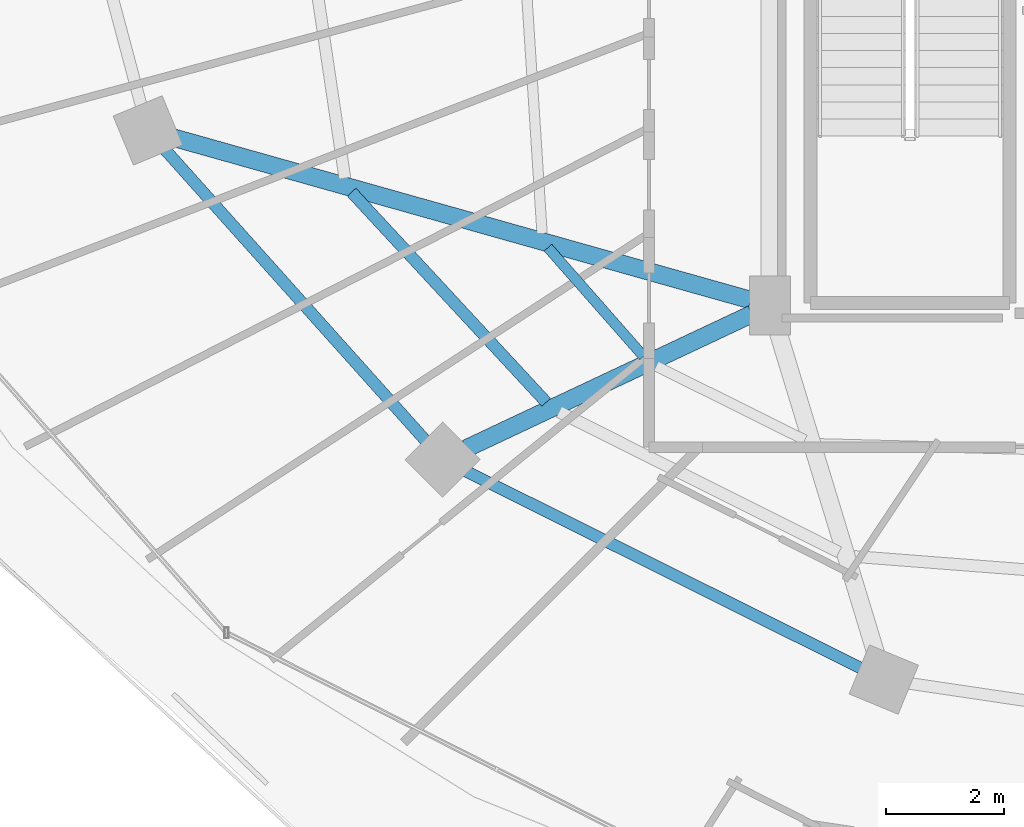
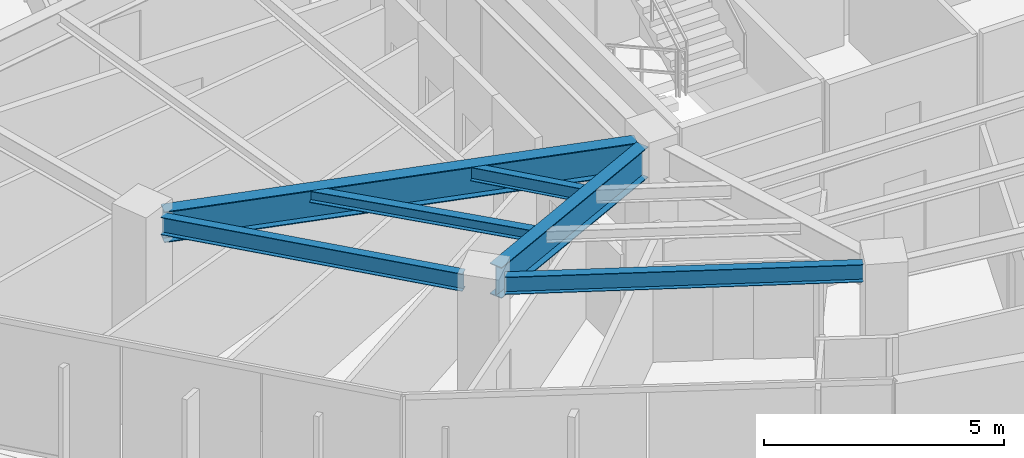
# One storey, part 4 of 33: 6 beams.
"""IFC4 building model written with IfcOpenShell, lengths in metres."""

from ifc_helpers import new_model, si_unit, direction, frame, origin, origin_2d, place, context, subcontext, project, spatial, i_section, extrude, material, material_profile, profile_set, type_object, element, save


model = new_model("IFC4")

# Units and contexts
model_context = context("Model", 3, precision=1e-05, world=origin(), true_north=direction((0.0, 1.0)))
body_context = subcontext(model_context, "Body", "Model", "MODEL_VIEW")
ifc_project = project(units=[si_unit("LENGTHUNIT", "METRE"), si_unit("AREAUNIT", "SQUARE_METRE"), si_unit("VOLUMEUNIT", "CUBIC_METRE"), si_unit("PLANEANGLEUNIT", "RADIAN"), si_unit("MASSUNIT", "GRAM", prefix="KILO")], contexts=[model_context])

# Site, building, storey
site_placement = place(None, origin())
site = spatial("IfcSite", under=ifc_project, at=site_placement, CompositionType="ELEMENT")
building_placement = place(site_placement, origin())
building = spatial("IfcBuilding", under=site, at=building_placement, Name="Vorneva Point Tower", CompositionType="ELEMENT")
storey_placement = place(building_placement, frame((0.0, 0.0, 217.85009765625)))
storey = spatial("IfcBuildingStorey", under=building, at=storey_placement, Name="L59", CompositionType="ELEMENT", Elevation=217.85009765625)

# Beams
ifc_material = material(Name="Steel S355", Category="steel")
ifc_material_profile_1 = material_profile(ifc_material, i_section(OverallWidth=0.300048828125, OverallDepth=0.7880859375, WebThickness=0.014404296875, FlangeThickness=0.02197265625, at=origin_2d()), Name="80Sh1")
ifc_profile_set_1 = profile_set([ifc_material_profile_1], Name="Steel S355")
beam_type_1 = type_object("IfcBeamType", Name="BM-GRD-80Sh1", PredefinedType="USERDEFINED", material=ifc_profile_set_1)
beam_1_placement = place(storey_placement, frame((17.126220703125, 19.299072265625, 2.89599609375), z_axis=(0.962603641144, -0.270913694847, 0.0), x_axis=(0.270913694847, 0.962603641144, 0.0)))
element("IfcBeam", 1, at=beam_1_placement, inside=storey, type_object=beam_type_1, Name="L59 Radial Primary Girder 10", ObjectType="GIRDER", PredefinedType="USERDEFINED", context=body_context, shape_type="SweptSolid", body=[
    extrude(i_section(OverallWidth=0.300048828125, OverallDepth=0.7880859375, WebThickness=0.014404296875, FlangeThickness=0.02197265625, at=origin_2d()), origin(), (0.0, 0.0, 1.0), 10.177001953125),
])
beam_2_placement = place(storey_placement, frame((22.097412109375, 14.0244140625, 2.89599609375), z_axis=(0.904762899762, 0.42591559635, 0.0), x_axis=(-0.42591559635, 0.904762899762, 0.0)))
element("IfcBeam", 2, at=beam_2_placement, inside=storey, type_object=beam_type_1, Name="L59 Radial Primary Girder 11", ObjectType="GIRDER", PredefinedType="USERDEFINED", context=body_context, shape_type="SweptSolid", body=[
    extrude(i_section(OverallWidth=0.300048828125, OverallDepth=0.7880859375, WebThickness=0.014404296875, FlangeThickness=0.02197265625, at=origin_2d()), origin(), (0.0, 0.0, 1.0), 5.35498046875),
])
ifc_material_profile_2 = material_profile(ifc_material, i_section(OverallWidth=0.199951171875, OverallDepth=0.291015625, WebThickness=0.008056640625, FlangeThickness=0.010986328125, at=origin_2d()), Name="30Sh1")
ifc_profile_set_2 = profile_set([ifc_material_profile_2], Name="Steel S355")
beam_type_2 = type_object("IfcBeamType", Name="BM-SEC-30Sh1", PredefinedType="BEAM", material=ifc_profile_set_2)
beam_3_placement = place(storey_placement, frame((20.158935546875, 18.370849609375, 3.144287109375), z_axis=(0.679528381366, -0.733649220622, 0.0), x_axis=(0.733649220622, 0.679528381366, 0.0)))
element("IfcBeam", 3, at=beam_3_placement, inside=storey, type_object=beam_type_2, Name="L59 Secondary Floor Beam 1.10", PredefinedType="BEAM", context=body_context, shape_type="SweptSolid", body=[
    extrude(i_section(OverallWidth=0.199951171875, OverallDepth=0.291015625, WebThickness=0.008056640625, FlangeThickness=0.010986328125, at=origin_2d()), origin(), (0.0, 0.0, 1.0), 4.853759765625),
])
ifc_material_profile_3 = material_profile(ifc_material, i_section(OverallWidth=0.174072265625, OverallDepth=0.345947265625, WebThickness=0.006103515625, FlangeThickness=0.009033203125, at=origin_2d()), Name="35B1")
ifc_profile_set_3 = profile_set([ifc_material_profile_3], Name="Steel S355")
beam_type_3 = type_object("IfcBeamType", Name="BM-SEC-35B1", PredefinedType="BEAM", material=ifc_profile_set_3)
beam_4_placement = place(storey_placement, frame((23.487060546875, 17.430908203125, 3.116943359375), z_axis=(0.660228577695, -0.7510647277, 0.0), x_axis=(0.7510647277, 0.660228577695, 0.0)))
element("IfcBeam", 4, at=beam_4_placement, inside=storey, type_object=beam_type_3, Name="L59 Secondary Floor Beam 2.10", PredefinedType="BEAM", context=body_context, shape_type="SweptSolid", body=[
    extrude(i_section(OverallWidth=0.174072265625, OverallDepth=0.345947265625, WebThickness=0.006103515625, FlangeThickness=0.009033203125, at=origin_2d()), origin(), (0.0, 0.0, 1.0), 2.453857421875),
])
ifc_material_profile_4 = material_profile(ifc_material, i_section(OverallWidth=0.198974609375, OverallDepth=0.446044921875, WebThickness=0.008056640625, FlangeThickness=0.011962890625, at=origin_2d()), Name="45B1")
ifc_profile_set_4 = profile_set([ifc_material_profile_4], Name="Steel S355")
beam_type_4 = type_object("IfcBeamType", Name="BM-SPN-45B1", PredefinedType="SPANDREL", material=ifc_profile_set_4)
beam_5_placement = place(storey_placement, frame((16.994873046875, 19.09375, 3.06689453125), z_axis=(0.66706970547, -0.744995307397, 0.0), x_axis=(0.744995307397, 0.66706970547, 0.0)))
element("IfcBeam", 5, at=beam_5_placement, inside=storey, type_object=beam_type_4, Name="L59 Perimeter Spandrel Ring Beam 10", PredefinedType="SPANDREL", context=body_context, shape_type="SweptSolid", body=[
    extrude(i_section(OverallWidth=0.198974609375, OverallDepth=0.446044921875, WebThickness=0.008056640625, FlangeThickness=0.011962890625, at=origin_2d()), origin(), (0.0, 0.0, 1.0), 6.6201171875),
])
beam_6_placement = place(storey_placement, frame((22.090576171875, 13.643798828125, 3.06689453125), z_axis=(0.894922371084, -0.446221861559, 0.0), x_axis=(0.446221861559, 0.894922371084, 0.0)))
element("IfcBeam", 6, at=beam_6_placement, inside=storey, type_object=beam_type_4, Name="L59 Perimeter Spandrel Ring Beam 11", PredefinedType="SPANDREL", context=body_context, shape_type="SweptSolid", body=[
    extrude(i_section(OverallWidth=0.198974609375, OverallDepth=0.446044921875, WebThickness=0.008056640625, FlangeThickness=0.011962890625, at=origin_2d()), origin(), (0.0, 0.0, 1.0), 7.48583984375),
])

save(model, "model.ifc")
